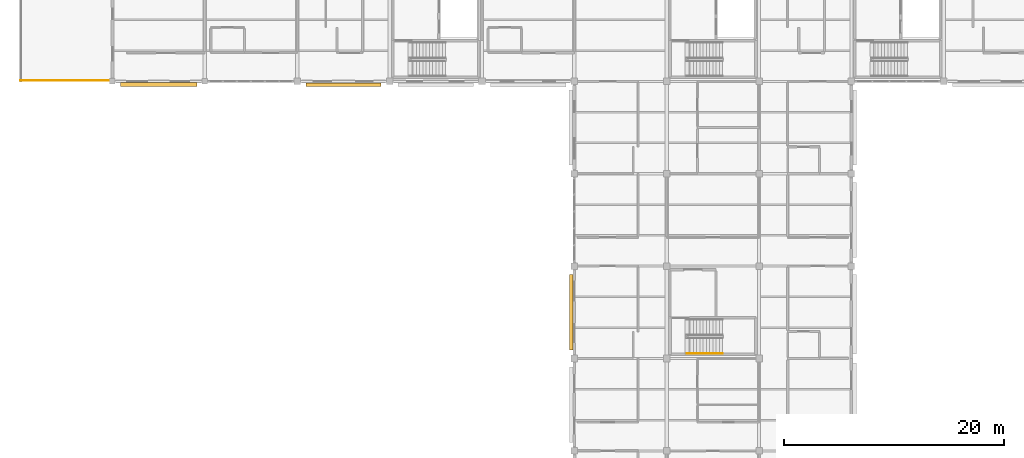
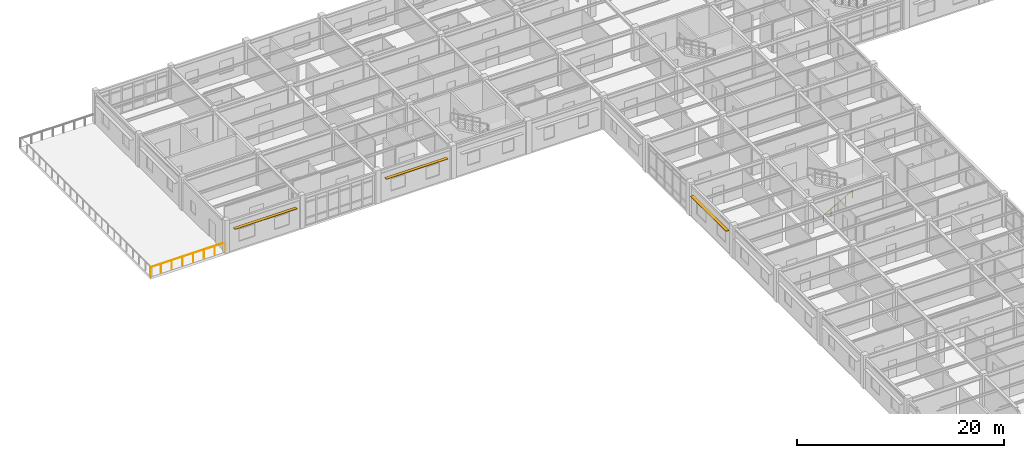
# One storey, part 63 of 70: 3 shading devices, 2 railings.
"""IFC4 building model written with IfcOpenShell, lengths in metres."""

from ifc_helpers import new_model, si_unit, direction, frame, origin, origin_2d, place, context, subcontext, project, spatial, rectangle, circle, extrude, material, material_profile, profile_set, type_object, element, save


model = new_model("IFC4")

# Units and contexts
model_context = context("Model", 3, precision=1e-05, world=origin(), true_north=direction((0.0, 1.0)))
body_context = subcontext(model_context, "Body", "Model", "MODEL_VIEW")
ifc_project = project(units=[si_unit("LENGTHUNIT", "METRE"), si_unit("AREAUNIT", "SQUARE_METRE"), si_unit("VOLUMEUNIT", "CUBIC_METRE"), si_unit("PLANEANGLEUNIT", "RADIAN"), si_unit("MASSUNIT", "GRAM", prefix="KILO")], contexts=[model_context])

# Site, building, storey
site_placement = place(None, origin())
site = spatial("IfcSite", under=ifc_project, at=site_placement, CompositionType="ELEMENT")
building_placement = place(site_placement, origin())
building = spatial("IfcBuilding", under=site, at=building_placement, Name="Bramfleet General Hospital", CompositionType="ELEMENT")
storey_placement = place(building_placement, frame((0.0, 0.0, 22.5)))
storey = spatial("IfcBuildingStorey", under=building, at=storey_placement, Name="L05", CompositionType="ELEMENT", Elevation=22.5)

# Railings
ifc_material_1 = material(Name="Stainless steel 1.4401 safety balustrade", Category="steel")
railing_type_1 = type_object("IfcRailingType", Name="RAIL-EXT-GUARD", PredefinedType="GUARDRAIL", material=ifc_material_1)
railing_1_placement = place(storey_placement, frame((50.389892578125, 92.5, 0.0)))
element("IfcRailing", 1, at=railing_1_placement, inside=storey, type_object=railing_type_1, Name="L05 Safety Guard Rail 199", PredefinedType="GUARDRAIL", context=body_context, shape_type="SweptSolid", body=[
    extrude(circle(Radius=0.02392578125, at=origin_2d()), frame((0.0, 0.0, 1.076171875), z_axis=(-1.0, 0.0, 0.0), x_axis=(0.0, -1.0, 0.0)), (0.0, 0.0, 1.0), 8.3798828125),
    extrude(circle(Radius=0.02099609375, at=origin_2d()), origin(), (0.0, 0.0, 1.0), 1.052001953125),
    extrude(circle(Radius=0.02099609375, at=origin_2d()), frame((-1.197021484375, 0.0, 0.0)), (0.0, 0.0, 1.0), 1.052001953125),
    extrude(circle(Radius=0.02099609375, at=origin_2d()), frame((-2.394287109375, 0.0, 0.0)), (0.0, 0.0, 1.0), 1.052001953125),
    extrude(circle(Radius=0.02099609375, at=origin_2d()), frame((-3.59130859375, 0.0, 0.0)), (0.0, 0.0, 1.0), 1.052001953125),
    extrude(circle(Radius=0.02099609375, at=origin_2d()), frame((-4.78857421875, 0.0, 0.0)), (0.0, 0.0, 1.0), 1.052001953125),
    extrude(circle(Radius=0.02099609375, at=origin_2d()), frame((-5.985595703125, 0.0, 0.0)), (0.0, 0.0, 1.0), 1.052001953125),
    extrude(circle(Radius=0.02099609375, at=origin_2d()), frame((-7.182861328125, 0.0, 0.0)), (0.0, 0.0, 1.0), 1.052001953125),
    extrude(circle(Radius=0.02099609375, at=origin_2d()), frame((-8.3798828125, 0.0, 0.0)), (0.0, 0.0, 1.0), 1.052001953125),
])
ifc_material_2 = material(Name="Stainless steel 1.4301 stair handrail", Category="steel")
railing_type_2 = type_object("IfcRailingType", Name="RAIL-ST-HND", PredefinedType="HANDRAIL", material=ifc_material_2)
railing_2_placement = place(storey_placement, frame((102.639892578125, 67.669921875, 0.16259765625)))
element("IfcRailing", 2, at=railing_2_placement, inside=storey, type_object=railing_type_2, Name="L05 ST-C11 stair handrail 1", PredefinedType="HANDRAIL", context=body_context, shape_type="SweptSolid", body=[
    extrude(circle(Radius=0.02392578125, at=origin_2d()), frame((0.0, 0.0, 0.8759765625), z_axis=(0.875926352668, 0.0, 0.482444841098), x_axis=(0.0, 1.0, 0.0)), (0.0, 0.0, 1.0), 3.704833984375),
    extrude(circle(Radius=0.02099609375, at=origin_2d()), origin(), (0.0, 0.0, 1.0), 0.851806640625),
    extrude(circle(Radius=0.02099609375, at=origin_2d()), frame((0.811279296875, 0.0, 0.44677734375)), (0.0, 0.0, 1.0), 0.851806640625),
    extrude(circle(Radius=0.02099609375, at=origin_2d()), frame((1.62255859375, 0.0, 0.8935546875)), (0.0, 0.0, 1.0), 0.851806640625),
    extrude(circle(Radius=0.02099609375, at=origin_2d()), frame((2.433837890625, 0.0, 1.340576171875)), (0.0, 0.0, 1.0), 0.851806640625),
    extrude(circle(Radius=0.02099609375, at=origin_2d()), frame((3.2451171875, 0.0, 1.787353515625)), (0.0, 0.0, 1.0), 0.851806640625),
])

# Shading devices
ifc_material_3 = material(Name="Anodised aluminium EN AW-6063", Category="aluminium")
ifc_material_profile = material_profile(ifc_material_3, rectangle(XDim=0.050048828125, YDim=0.35009765625, at=origin_2d()), Name="ALU LOUVRE 350x50")
ifc_profile_set = profile_set([ifc_material_profile], Name="Anodised aluminium EN AW-6063")
shading_device_type = type_object("IfcShadingDeviceType", Name="SHD-LVR-350", PredefinedType="USERDEFINED", material=ifc_profile_set)
for number, where, z_axis, x_axis, name in (
    (3, (92.12255859375, 67.97509765625, 2.669921875), (0.0, 1.0, 0.0), (0.0, 0.0, 1.0), "L05 Solar Shading Louvre 42"),
    (4, (74.824951171875, 92.10009765625, 2.669921875), (-1.0, 0.0, 0.0), (0.0, 0.0, 1.0), "L05 Solar Shading Louvre 46"),
):
    element("IfcShadingDevice", number, at=place(storey_placement, frame(where, z_axis=z_axis, x_axis=x_axis)), inside=storey, type_object=shading_device_type, Name=name, ObjectType="Louvre", PredefinedType="USERDEFINED", context=body_context, shape_type="SweptSolid", body=[
        extrude(rectangle(XDim=0.050048828125, YDim=0.35009765625, at=origin_2d()), origin(), (0.0, 0.0, 1.0), 6.849853515625),
    ])
shading_device_placement = place(storey_placement, frame((58.074951171875, 92.107421875, 2.669921875), z_axis=(-1.0, 0.0, 0.0), x_axis=(0.0, 0.0, 1.0)))
element("IfcShadingDevice", 5, at=shading_device_placement, inside=storey, type_object=shading_device_type, Name="L05 Solar Shading Louvre 47", ObjectType="Louvre", PredefinedType="USERDEFINED", context=body_context, shape_type="SweptSolid", body=[
    extrude(rectangle(XDim=0.050048828125, YDim=0.35009765625, at=origin_2d()), origin(), (0.0, 0.0, 1.0), 6.949951171875),
])

save(model, "model.ifc")
